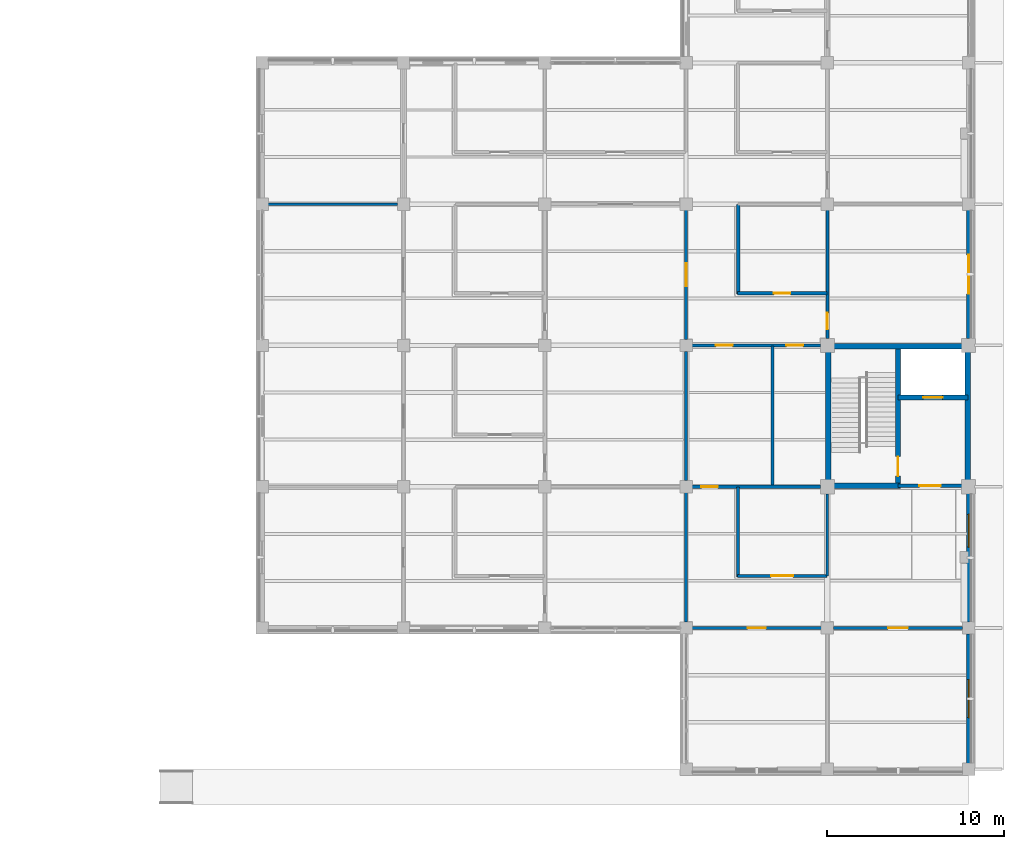
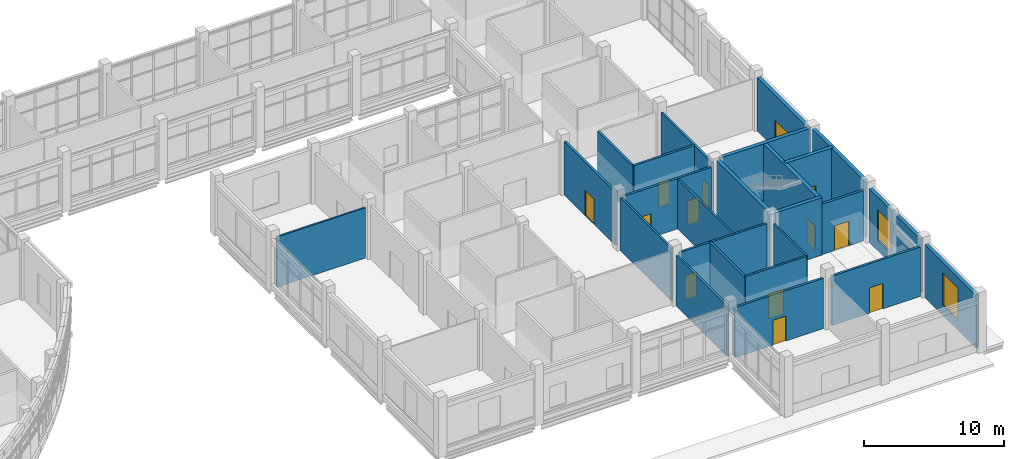
# One storey, part 76 of 105: 25 walls, 13 doors, 2 windows, 15 openings.
"""IFC4 building model written with IfcOpenShell, lengths in metres."""

from ifc_helpers import new_model, si_unit, derived_unit, direction, frame, frame_2d, origin, place, context, subcontext, project, spatial, rectangle, extrude, material, layer, layer_set, type_object, element, fill, save


model = new_model("IFC4")

# Units and contexts
model_context = context("Model", 3, precision=1e-05, world=origin(), true_north=direction((0.0, 1.0)))
body_context = subcontext(model_context, "Body", "Model", "MODEL_VIEW")
ifc_project = project(units=[si_unit("LENGTHUNIT", "METRE"), si_unit("AREAUNIT", "SQUARE_METRE"), si_unit("VOLUMEUNIT", "CUBIC_METRE"), si_unit("PLANEANGLEUNIT", "RADIAN"), si_unit("MASSUNIT", "GRAM", prefix="KILO"), derived_unit("THERMALTRANSMITTANCEUNIT", [(si_unit("MASSUNIT", "GRAM", prefix="KILO"), 1), (si_unit("TIMEUNIT", "SECOND"), -3), (si_unit("THERMODYNAMICTEMPERATUREUNIT", "KELVIN"), -1)])], contexts=[model_context])

# Site, building, storey
site_placement = place(None, origin())
site = spatial("IfcSite", under=ifc_project, at=site_placement, CompositionType="ELEMENT")
building_placement = place(site_placement, origin())
building = spatial("IfcBuilding", under=site, at=building_placement, Name="Veyamyaing Civic Hall", CompositionType="ELEMENT")
storey_placement = place(building_placement, origin())
storey = spatial("IfcBuildingStorey", under=building, at=storey_placement, Name="L00", CompositionType="ELEMENT", Elevation=0.0)

# Walls
ifc_material_1 = material(Name="Concrete C40/50", Category="concrete")
ifc_layer_1 = layer(ifc_material_1, 0.300048828125, Name="Concrete C40/50")
ifc_layer_set_1 = layer_set([ifc_layer_1], Name="Concrete C40/50")
wall_type_1 = type_object("IfcWallType", Name="WT-05", PredefinedType="SHEAR", material=ifc_layer_set_1)
for number, where, z_axis, x_axis, name in (
    (1, (168.050048828125, 16.2900390625, 0.0), (0.0, 0.0, 1.0), (0.0, 1.0, 0.0), "Core shear wall WT-05 CORE-8 L00.W"),
    (2, (168.2900390625, 23.949951171875, 0.0), (0.0, 0.0, 1.0), (1.0, 0.0, 0.0), "Core shear wall WT-05 CORE-8 L00.N"),
    (3, (175.949951171875, 16.2900390625, 0.0), (0.0, 0.0, 1.0), (0.0, 1.0, 0.0), "Core shear wall WT-05 CORE-8 L00.E"),
):
    element("IfcWall", number, at=place(storey_placement, frame(where, z_axis=z_axis, x_axis=x_axis)), inside=storey, type_object=wall_type_1, Name=name, PredefinedType="SHEAR", context=body_context, shape_type="SweptSolid", body=[
        extrude(rectangle(XDim=7.419921875, YDim=0.300048828125, at=frame_2d((3.7099609375, 0.0))), origin(), (0.0, 0.0, 1.0), 5.034912109375),
    ])
wall_1_placement = place(storey_placement, frame((168.2900390625, 16.050048828125, 0.0), z_axis=(0.0, 0.0, 1.0), x_axis=(1.0, 0.0, 0.0)))
element("IfcWall", 4, at=wall_1_placement, inside=storey, type_object=wall_type_1, Name="Core shear wall WT-05 CORE-8 L00.SS", PredefinedType="SHEAR", context=body_context, shape_type="SweptSolid", body=[
    extrude(rectangle(XDim=3.85986328125, YDim=0.300048828125, at=frame_2d((1.929931640625, 0.0))), origin(), (0.0, 0.0, 1.0), 5.034912109375),
])

# Wall, opening, door
wall_2_placement = place(storey_placement, frame((172.0, 16.050048828125, 0.0), z_axis=(0.0, 0.0, 1.0), x_axis=(0.0, 1.0, 0.0)))
wall_2 = element("IfcWall", 5, at=wall_2_placement, inside=storey, type_object=wall_type_1, Name="Core shear wall WT-05 CORE-8 L00.MID", PredefinedType="SHEAR", context=body_context, shape_type="SweptSolid", body=[
    extrude(rectangle(XDim=7.89990234375, YDim=0.300048828125, at=frame_2d((3.949951171875, 0.0))), origin(), (0.0, 0.0, 1.0), 5.034912109375),
])
opening_1_placement = place(wall_2_placement, frame((0.550048828125, 0.0, 0.0)))
opening_1 = element("IfcOpeningElement", 6, at=opening_1_placement, cuts=wall_2, Name="Opening D-03", PredefinedType="OPENING", context=body_context, shape_type="SweptSolid", body=[
    extrude(rectangle(XDim=1.10009765625, YDim=2.14990234375, at=frame_2d((0.550048828125, 1.074951171875))), frame((0.0, 0.159912109375, 0.0), z_axis=(0.0, -1.0, 0.0), x_axis=(1.0, 0.0, 0.0)), (0.0, 0.0, 1.0), 0.320068359375),
])
ifc_material_2 = material(Name="Galvanized steel S355J2", Category="steel")
door_type_1 = type_object("IfcDoorType", Name="D-03", OperationType="NOTDEFINED", PredefinedType="DOOR", material=ifc_material_2)
door_1_placement = place(opening_1_placement, frame((1.10009765625, 0.0, 0.0), z_axis=(0.0, 0.0, 1.0), x_axis=(-1.0, 0.0, 0.0)))
door_1 = element("IfcDoor", 7, at=door_1_placement, inside=storey, type_object=door_type_1, Name="Exit stair fire door D-03 ST-10 L00", OperationType="SINGLE_SWING_RIGHT", OverallHeight=2.14990234375, OverallWidth=1.10009765625, PredefinedType="DOOR", context=body_context, shape_type="SweptSolid", body=[
    extrude(rectangle(XDim=1.10009765625, YDim=2.14990234375, at=frame_2d((0.550048828125, 1.074951171875))), frame((0.0, 0.02490234375, 0.0), z_axis=(0.0, -1.0, 0.0), x_axis=(1.0, 0.0, 0.0)), (0.0, 0.0, 1.0), 0.050048828125),
])
fill(opening_1, door_1)

wall_3_placement = place(storey_placement, frame((172.0, 21.050048828125, 0.0), z_axis=(0.0, 0.0, 1.0), x_axis=(1.0, 0.0, 0.0)))
wall_3 = element("IfcWall", 8, at=wall_3_placement, inside=storey, type_object=wall_type_1, Name="Core shear wall WT-05 CORE-8 L00.LFT", PredefinedType="SHEAR", context=body_context, shape_type="SweptSolid", body=[
    extrude(rectangle(XDim=3.949951171875, YDim=0.300048828125, at=frame_2d((1.97509765625, 0.0))), origin(), (0.0, 0.0, 1.0), 5.034912109375),
])
opening_2_placement = place(wall_3_placement, frame((1.425048828125, 0.0, 0.0)))
opening_2 = element("IfcOpeningElement", 9, at=opening_2_placement, cuts=wall_3, Name="Opening LD-01", PredefinedType="OPENING", context=body_context, shape_type="SweptSolid", body=[
    extrude(rectangle(XDim=1.10009765625, YDim=2.199951171875, at=frame_2d((0.550048828125, 1.10009765625))), frame((0.0, 0.159912109375, 0.0), z_axis=(0.0, -1.0, 0.0), x_axis=(1.0, 0.0, 0.0)), (0.0, 0.0, 1.0), 0.320068359375),
])
ifc_material_3 = material(Name="Anodised aluminium 6063-T6", Category="aluminium")
door_type_2 = type_object("IfcDoorType", Name="LD-01", OperationType="SLIDING_TO_LEFT", PredefinedType="DOOR", material=ifc_material_3)
door_2_placement = place(opening_2_placement, origin())
door_2 = element("IfcDoor", 10, at=door_2_placement, inside=storey, type_object=door_type_2, Name="Lift sliding landing door LD-01 PL-06 L00", OperationType="SLIDING_TO_LEFT", OverallHeight=2.199951171875, OverallWidth=1.10009765625, PredefinedType="DOOR", context=body_context, shape_type="SweptSolid", body=[
    extrude(rectangle(XDim=1.10009765625, YDim=2.199951171875, at=frame_2d((0.550048828125, 1.10009765625))), frame((0.0, 0.02490234375, 0.0), z_axis=(0.0, -1.0, 0.0), x_axis=(1.0, 0.0, 0.0)), (0.0, 0.0, 1.0), 0.050048828125),
])
fill(opening_2, door_2)

ifc_layer_2 = layer(ifc_material_1, 0.199951171875, Name="Concrete C40/50")
ifc_layer_set_2 = layer_set([ifc_layer_2], Name="Concrete C40/50")
wall_type_2 = type_object("IfcWallType", Name="WT-06", PredefinedType="PARTITIONING", material=ifc_layer_set_2)
wall_4_placement = place(storey_placement, frame((172.0, 16.050048828125, 0.0), z_axis=(0.0, 0.0, 1.0), x_axis=(1.0, 0.0, 0.0)))
wall_4 = element("IfcWall", 11, at=wall_4_placement, inside=storey, type_object=wall_type_2, Name="Firefighting lift lobby wall WT-06 CORE-8 L00", PredefinedType="PARTITIONING", context=body_context, shape_type="SweptSolid", body=[
    extrude(rectangle(XDim=3.610107421875, YDim=0.199951171875, at=frame_2d((1.80517578125, 0.0))), origin(), (0.0, 0.0, 1.0), 4.404052734375),
])
opening_3_placement = place(wall_4_placement, frame((1.205078125, 0.0, 0.0)))
opening_3 = element("IfcOpeningElement", 12, at=opening_3_placement, cuts=wall_4, Name="Opening D-04", PredefinedType="OPENING", context=body_context, shape_type="SweptSolid", body=[
    extrude(rectangle(XDim=1.199951171875, YDim=2.14990234375, at=frame_2d((0.60009765625, 1.074951171875))), frame((0.0, 0.10986328125, 0.0), z_axis=(0.0, -1.0, 0.0), x_axis=(1.0, 0.0, 0.0)), (0.0, 0.0, 1.0), 0.219970703125),
])
door_type_3 = type_object("IfcDoorType", Name="D-04", OperationType="NOTDEFINED", PredefinedType="DOOR", material=ifc_material_2)
door_3_placement = place(opening_3_placement, frame((1.199951171875, 0.0, 0.0), z_axis=(0.0, 0.0, 1.0), x_axis=(-1.0, 0.0, 0.0)))
door_3 = element("IfcDoor", 13, at=door_3_placement, inside=storey, type_object=door_type_3, Name="Protected lobby fire door D-04 CORE-8 L00", OperationType="SINGLE_SWING_LEFT", OverallHeight=2.14990234375, OverallWidth=1.199951171875, PredefinedType="DOOR", context=body_context, shape_type="SweptSolid", body=[
    extrude(rectangle(XDim=1.199951171875, YDim=2.14990234375, at=frame_2d((0.60009765625, 1.074951171875))), frame((0.0, 0.02490234375, 0.0), z_axis=(0.0, -1.0, 0.0), x_axis=(1.0, 0.0, 0.0)), (0.0, 0.0, 1.0), 0.050048828125),
])
fill(opening_3, door_3)

ifc_material_4 = material(Name="Gypsum board on acoustic steel stud", Category="steel")
ifc_layer_3 = layer(ifc_material_4, 0.175048828125, Name="Gypsum board on acoustic steel stud")
ifc_layer_set_3 = layer_set([ifc_layer_3], Name="Gypsum board on acoustic steel stud")
wall_type_3 = type_object("IfcWallType", Name="WT-07", PredefinedType="PARTITIONING", material=ifc_layer_set_3)
wall_5_placement = place(storey_placement, frame((162.89990234375, 10.949951171875, 0.0), z_axis=(0.0, 0.0, 1.0), x_axis=(1.0, 0.0, 0.0)))
wall_5 = element("IfcWall", 14, at=wall_5_placement, inside=storey, type_object=wall_type_3, Name="Corridor gallery partition WT-07 L00.67.1", PredefinedType="PARTITIONING", context=body_context, shape_type="SweptSolid", body=[
    extrude(rectangle(XDim=5.080078125, YDim=0.175048828125, at=frame_2d((2.5400390625, 0.0))), origin(), (0.0, 0.0, 1.0), 4.404052734375),
])
opening_4_placement = place(wall_5_placement, frame((1.9150390625, 0.0, 0.0)))
opening_4 = element("IfcOpeningElement", 15, at=opening_4_placement, cuts=wall_5, Name="Opening D-29", PredefinedType="OPENING", context=body_context, shape_type="SweptSolid", body=[
    extrude(rectangle(XDim=1.25, YDim=2.179931640625, at=frame_2d((0.625, 1.08984375))), frame((0.0, 0.097412109375, 0.0), z_axis=(0.0, -1.0, 0.0), x_axis=(1.0, 0.0, 0.0)), (0.0, 0.0, 1.0), 0.195068359375),
])
ifc_material_5 = material(Name="Teak-veneered acoustic timber", Category="wood")
door_type_4 = type_object("IfcDoorType", Name="D-29", OperationType="NOTDEFINED", PredefinedType="DOOR", material=ifc_material_5)
door_4_placement = place(opening_4_placement, origin())
door_4 = element("IfcDoor", 16, at=door_4_placement, inside=storey, type_object=door_type_4, Name="Gallery office door D-29 L00.67", OperationType="SINGLE_SWING_RIGHT", OverallHeight=2.179931640625, OverallWidth=1.25, PredefinedType="DOOR", context=body_context, shape_type="SweptSolid", body=[
    extrude(rectangle(XDim=1.25, YDim=2.179931640625, at=frame_2d((0.625, 1.08984375))), frame((0.0, 0.02490234375, 0.0), z_axis=(0.0, -1.0, 0.0), x_axis=(1.0, 0.0, 0.0)), (0.0, 0.0, 1.0), 0.050048828125),
])
fill(opening_4, door_4)

# Walls
wall_6_placement = place(storey_placement, frame((162.949951171875, 10.89990234375, 0.0), z_axis=(0.0, 0.0, 1.0), x_axis=(0.0, 1.0, 0.0)))
element("IfcWall", 17, at=wall_6_placement, inside=storey, type_object=wall_type_3, Name="Corridor gallery partition WT-07 L00.67.2", PredefinedType="PARTITIONING", context=body_context, shape_type="SweptSolid", body=[
    extrude(rectangle(XDim=5.080078125, YDim=0.175048828125, at=frame_2d((2.5400390625, 0.0))), origin(), (0.0, 0.0, 1.0), 4.3359375),
])
wall_7_placement = place(storey_placement, frame((160.0, 8.340087890625, 0.0), z_axis=(0.0, 0.0, 1.0), x_axis=(0.0, 1.0, 0.0)))
element("IfcWall", 18, at=wall_7_placement, inside=storey, type_object=wall_type_3, Name="Interior partition wall WT-07 L00.135", PredefinedType="PARTITIONING", context=body_context, shape_type="SweptSolid", body=[
    extrude(rectangle(XDim=7.31982421875, YDim=0.175048828125, at=frame_2d((3.659912109375, 0.0))), origin(), (0.0, 0.0, 1.0), 4.412109375),
])

# Wall, opening, door
wall_8_placement = place(storey_placement, frame((160.340087890625, 16.0, 0.0), z_axis=(0.0, 0.0, 1.0), x_axis=(1.0, 0.0, 0.0)))
wall_8 = element("IfcWall", 19, at=wall_8_placement, inside=storey, type_object=wall_type_3, Name="Interior partition wall WT-07 L00.145", PredefinedType="PARTITIONING", context=body_context, shape_type="SweptSolid", body=[
    extrude(rectangle(XDim=7.27001953125, YDim=0.175048828125, at=frame_2d((3.635009765625, 0.0))), origin(), (0.0, 0.0, 1.0), 4.3359375),
])
opening_5_placement = place(wall_8_placement, frame((0.52001953125, 0.0, 0.0)))
opening_5 = element("IfcOpeningElement", 20, at=opening_5_placement, cuts=wall_8, Name="Opening D-30", PredefinedType="OPENING", context=body_context, shape_type="SweptSolid", body=[
    extrude(rectangle(XDim=0.93994140625, YDim=2.1201171875, at=frame_2d((0.469970703125, 1.06005859375))), frame((0.0, 0.097412109375, 0.0), z_axis=(0.0, -1.0, 0.0), x_axis=(1.0, 0.0, 0.0)), (0.0, 0.0, 1.0), 0.195068359375),
])
door_type_5 = type_object("IfcDoorType", Name="D-30", OperationType="NOTDEFINED", PredefinedType="DOOR", material=ifc_material_5)
door_5_placement = place(opening_5_placement, origin())
door_5 = element("IfcDoor", 21, at=door_5_placement, inside=storey, type_object=door_type_5, Name="Interior door D-30 L00.145", OperationType="SINGLE_SWING_RIGHT", OverallHeight=2.1201171875, OverallWidth=0.93994140625, PredefinedType="DOOR", context=body_context, shape_type="SweptSolid", body=[
    extrude(rectangle(XDim=0.93994140625, YDim=2.1201171875, at=frame_2d((0.469970703125, 1.06005859375))), frame((0.0, 0.02490234375, 0.0), z_axis=(0.0, -1.0, 0.0), x_axis=(1.0, 0.0, 0.0)), (0.0, 0.0, 1.0), 0.050048828125),
])
fill(opening_5, door_5)

wall_9_placement = place(storey_placement, frame((168.0, 24.389892578125, 0.0), z_axis=(0.0, 0.0, 1.0), x_axis=(0.0, 1.0, 0.0)))
wall_9 = element("IfcWall", 22, at=wall_9_placement, inside=storey, type_object=wall_type_3, Name="Interior partition wall WT-07 L00.147", PredefinedType="PARTITIONING", context=body_context, shape_type="SweptSolid", body=[
    extrude(rectangle(XDim=7.27001953125, YDim=0.175048828125, at=frame_2d((3.635009765625, 0.0))), origin(), (0.0, 0.0, 1.0), 4.403076171875),
])
opening_6_placement = place(wall_9_placement, frame((0.52001953125, 0.0, 0.0)))
opening_6 = element("IfcOpeningElement", 23, at=opening_6_placement, cuts=wall_9, Name="Opening D-30", PredefinedType="OPENING", context=body_context, shape_type="SweptSolid", body=[
    extrude(rectangle(XDim=0.93994140625, YDim=2.1201171875, at=frame_2d((0.469970703125, 1.06005859375))), frame((0.0, 0.097412109375, 0.0), z_axis=(0.0, -1.0, 0.0), x_axis=(1.0, 0.0, 0.0)), (0.0, 0.0, 1.0), 0.195068359375),
])
door_6_placement = place(opening_6_placement, frame((0.93994140625, 0.0, 0.0), z_axis=(0.0, 0.0, 1.0), x_axis=(-1.0, 0.0, 0.0)))
door_6 = element("IfcDoor", 24, at=door_6_placement, inside=storey, type_object=door_type_5, Name="Interior door D-30 L00.147", OperationType="SINGLE_SWING_LEFT", OverallHeight=2.1201171875, OverallWidth=0.93994140625, PredefinedType="DOOR", context=body_context, shape_type="SweptSolid", body=[
    extrude(rectangle(XDim=0.93994140625, YDim=2.1201171875, at=frame_2d((0.469970703125, 1.06005859375))), frame((0.0, 0.02490234375, 0.0), z_axis=(0.0, -1.0, 0.0), x_axis=(1.0, 0.0, 0.0)), (0.0, 0.0, 1.0), 0.050048828125),
])
fill(opening_6, door_6)

# Walls
ifc_material_6 = material(Name="Gypsum board on steel stud", Category="steel")
ifc_layer_4 = layer(ifc_material_6, 0.14990234375, Name="Gypsum board on steel stud")
ifc_layer_set_4 = layer_set([ifc_layer_4], Name="Gypsum board on steel stud")
wall_type_4 = type_object("IfcWallType", Name="WT-08", PredefinedType="PARTITIONING", material=ifc_layer_set_4)
wall_10_placement = place(storey_placement, frame((168.0, 10.949951171875, 0.0), z_axis=(0.0, 0.0, 1.0), x_axis=(0.0, 1.0, 0.0)))
element("IfcWall", 25, at=wall_10_placement, inside=storey, type_object=wall_type_4, Name="Gallery office end partition WT-08 L00.67.2", PredefinedType="PARTITIONING", context=body_context, shape_type="SweptSolid", body=[
    extrude(rectangle(XDim=4.64013671875, YDim=0.14990234375, at=frame_2d((2.320068359375, 0.0))), origin(), (0.0, 0.0, 1.0), 4.404052734375),
])
ifc_material_7 = material(Name="Cement-board wet-area partition")
ifc_layer_5 = layer(ifc_material_7, 0.159912109375, Name="Cement-board wet-area partition")
ifc_layer_set_5 = layer_set([ifc_layer_5], Name="Cement-board wet-area partition")
wall_type_5 = type_object("IfcWallType", Name="WT-14", PredefinedType="PARTITIONING", material=ifc_layer_set_5)
wall_11_placement = place(storey_placement, frame((160.0, 16.340087890625, 0.0), z_axis=(0.0, 0.0, 1.0), x_axis=(0.0, 1.0, 0.0)))
element("IfcWall", 26, at=wall_11_placement, inside=storey, type_object=wall_type_5, Name="Interior partition wall WT-14 L00.137", PredefinedType="PARTITIONING", context=body_context, shape_type="SweptSolid", body=[
    extrude(rectangle(XDim=7.31982421875, YDim=0.159912109375, at=frame_2d((3.659912109375, 0.0))), origin(), (0.0, 0.0, 1.0), 4.60693359375),
])
wall_12_placement = place(storey_placement, frame((164.89990234375, 16.02001953125, 0.0), z_axis=(0.0, 0.0, 1.0), x_axis=(0.0, 1.0, 0.0)))
element("IfcWall", 27, at=wall_12_placement, inside=storey, type_object=wall_type_5, Name="Sub-bay room partition WT-14 L00.5", PredefinedType="PARTITIONING", context=body_context, shape_type="SweptSolid", body=[
    extrude(rectangle(XDim=7.9599609375, YDim=0.159912109375, at=frame_2d((3.97998046875, 0.0))), origin(), (0.0, 0.0, 1.0), 4.3359375),
])
ifc_layer_6 = layer(ifc_material_6, 0.135009765625, Name="Gypsum board on steel stud")
ifc_layer_set_6 = layer_set([ifc_layer_6], Name="Gypsum board on steel stud")
wall_type_6 = type_object("IfcWallType", Name="WT-15", PredefinedType="PARTITIONING", material=ifc_layer_set_6)
wall_13_placement = place(storey_placement, frame((136.340087890625, 32.0, 0.0), z_axis=(0.0, 0.0, 1.0), x_axis=(1.0, 0.0, 0.0)))
element("IfcWall", 28, at=wall_13_placement, inside=storey, type_object=wall_type_6, Name="Interior partition wall WT-15 L00.128", PredefinedType="PARTITIONING", context=body_context, shape_type="SweptSolid", body=[
    extrude(rectangle(XDim=7.31982421875, YDim=0.135009765625, at=frame_2d((3.659912109375, 0.0))), origin(), (0.0, 0.0, 1.0), 4.403076171875),
])

# Wall, opening, window
ifc_material_8 = material(Name="Precast concrete C40/50", Category="concrete")
ifc_layer_7 = layer(ifc_material_8, 0.27001953125, Name="Precast concrete C40/50")
ifc_layer_set_7 = layer_set([ifc_layer_7], Name="Precast concrete C40/50")
wall_type_7 = type_object("IfcWallType", Name="WT-18", PredefinedType="SOLIDWALL", material=ifc_layer_set_7)
wall_14_placement = place(storey_placement, frame((176.0, 0.3349609375, 0.0), z_axis=(0.0, 0.0, 1.0), x_axis=(0.0, 1.0, 0.0)))
wall_14 = element("IfcWall", 29, at=wall_14_placement, inside=storey, type_object=wall_type_7, Name="Exterior facade wall WT-18 L00 E 22.1", PredefinedType="SOLIDWALL", context=body_context, shape_type="SweptSolid", body=[
    extrude(rectangle(XDim=7.330078125, YDim=0.27001953125, at=frame_2d((3.6650390625, 0.0))), origin(), (0.0, 0.0, 1.0), 4.614013671875),
])
opening_7_placement = place(wall_14_placement, frame((2.590087890625, 0.0, 0.89990234375)))
opening_7 = element("IfcOpeningElement", 30, at=opening_7_placement, cuts=wall_14, Name="Opening W-02", PredefinedType="OPENING", context=body_context, shape_type="SweptSolid", body=[
    extrude(rectangle(XDim=2.14990234375, YDim=2.800048828125, at=frame_2d((1.074951171875, 1.39990234375))), frame((0.0, 0.14501953125, 0.0), z_axis=(0.0, -1.0, 0.0), x_axis=(1.0, 0.0, 0.0)), (0.0, 0.0, 1.0), 0.2900390625),
])
ifc_material_9 = material(Name="Low-E insulated glass", Category="glass")
window_type_1 = type_object("IfcWindowType", Name="W-02", PartitioningType="SINGLE_PANEL", PredefinedType="WINDOW", material=ifc_material_9)
window_1_placement = place(opening_7_placement, origin())
window_1 = element("IfcWindow", 31, at=window_1_placement, inside=storey, type_object=window_type_1, Name="Facade window W-02 L00 E 22.1", OverallHeight=2.800048828125, OverallWidth=2.14990234375, PartitioningType="SINGLE_PANEL", PredefinedType="WINDOW", context=body_context, shape_type="SweptSolid", body=[
    extrude(rectangle(XDim=2.14990234375, YDim=2.800048828125, at=frame_2d((1.074951171875, 1.39990234375))), frame((0.0, 0.030029296875, 0.0), z_axis=(0.0, -1.0, 0.0), x_axis=(1.0, 0.0, 0.0)), (0.0, 0.0, 1.0), 0.06005859375),
])
fill(opening_7, window_1)

wall_15_placement = place(storey_placement, frame((176.0, 8.3349609375, 0.0), z_axis=(0.0, 0.0, 1.0), x_axis=(0.0, 1.0, 0.0)))
wall_15 = element("IfcWall", 32, at=wall_15_placement, inside=storey, type_object=wall_type_7, Name="Exterior facade wall WT-18 L00 E 22.2", PredefinedType="SOLIDWALL", context=body_context, shape_type="SweptSolid", body=[
    extrude(rectangle(XDim=7.280029296875, YDim=0.27001953125, at=frame_2d((3.64013671875, 0.0))), origin(), (0.0, 0.0, 1.0), 4.677001953125),
])
opening_8_placement = place(wall_15_placement, frame((4.25, 0.0, 0.89990234375)))
opening_8 = element("IfcOpeningElement", 33, at=opening_8_placement, cuts=wall_15, Name="Opening W-03", PredefinedType="OPENING", context=body_context, shape_type="SweptSolid", body=[
    extrude(rectangle(XDim=1.85009765625, YDim=2.64990234375, at=frame_2d((0.925048828125, 1.324951171875))), frame((0.0, 0.14501953125, 0.0), z_axis=(0.0, -1.0, 0.0), x_axis=(1.0, 0.0, 0.0)), (0.0, 0.0, 1.0), 0.2900390625),
])
window_type_2 = type_object("IfcWindowType", Name="W-03", PartitioningType="SINGLE_PANEL", PredefinedType="WINDOW", material=ifc_material_9)
window_2_placement = place(opening_8_placement, origin())
window_2 = element("IfcWindow", 34, at=window_2_placement, inside=storey, type_object=window_type_2, Name="Facade window W-03 L00 E 22.2", OverallHeight=2.64990234375, OverallWidth=1.85009765625, PartitioningType="SINGLE_PANEL", PredefinedType="WINDOW", context=body_context, shape_type="SweptSolid", body=[
    extrude(rectangle(XDim=1.85009765625, YDim=2.64990234375, at=frame_2d((0.925048828125, 1.324951171875))), frame((0.0, 0.030029296875, 0.0), z_axis=(0.0, -1.0, 0.0), x_axis=(1.0, 0.0, 0.0)), (0.0, 0.0, 1.0), 0.06005859375),
])
fill(opening_8, window_2)

# Wall, opening, door
wall_16_placement = place(storey_placement, frame((176.0, 24.385009765625, 0.0), z_axis=(0.0, 0.0, 1.0), x_axis=(0.0, 1.0, 0.0)))
wall_16 = element("IfcWall", 35, at=wall_16_placement, inside=storey, type_object=wall_type_7, Name="Exterior facade wall WT-18 L00 E 22.4", PredefinedType="SOLIDWALL", context=body_context, shape_type="SweptSolid", body=[
    extrude(rectangle(XDim=7.280029296875, YDim=0.27001953125, at=frame_2d((3.64013671875, 0.0))), origin(), (0.0, 0.0, 1.0), 4.674072265625),
])
opening_9_placement = place(wall_16_placement, frame((2.5400390625, 0.0, 0.0)))
opening_9 = element("IfcOpeningElement", 36, at=opening_9_placement, cuts=wall_16, Name="Opening D-01", PredefinedType="OPENING", context=body_context, shape_type="SweptSolid", body=[
    extrude(rectangle(XDim=2.199951171875, YDim=2.5, at=frame_2d((1.10009765625, 1.25))), frame((0.0, 0.14501953125, 0.0), z_axis=(0.0, -1.0, 0.0), x_axis=(1.0, 0.0, 0.0)), (0.0, 0.0, 1.0), 0.2900390625),
])
door_type_6 = type_object("IfcDoorType", Name="D-01", OperationType="DOUBLE_DOOR_SINGLE_SWING", PredefinedType="DOOR", material=ifc_material_3)
door_7_placement = place(opening_9_placement, frame((2.199951171875, 0.0, 0.0), z_axis=(0.0, 0.0, 1.0), x_axis=(-1.0, 0.0, 0.0)))
door_7 = element("IfcDoor", 37, at=door_7_placement, inside=storey, type_object=door_type_6, Name="Main pedestrian final exit EX-16", OperationType="DOUBLE_DOOR_SINGLE_SWING", OverallHeight=2.5, OverallWidth=2.199951171875, PredefinedType="DOOR", context=body_context, shape_type="SweptSolid", body=[
    extrude(rectangle(XDim=2.199951171875, YDim=2.5, at=frame_2d((1.10009765625, 1.25))), frame((0.0, 0.02490234375, 0.0), z_axis=(0.0, -1.0, 0.0), x_axis=(1.0, 0.0, 0.0)), (0.0, 0.0, 1.0), 0.050048828125),
])
fill(opening_9, door_7)

ifc_material_10 = material(Name="Gypsum board on double acoustic stud")
ifc_layer_8 = layer(ifc_material_10, 0.18505859375, Name="Gypsum board on double acoustic stud")
ifc_layer_set_8 = layer_set([ifc_layer_8], Name="Gypsum board on double acoustic stud")
wall_type_8 = type_object("IfcWallType", Name="WT-19", PredefinedType="PARTITIONING", material=ifc_layer_set_8)
wall_17_placement = place(storey_placement, frame((162.89990234375, 26.949951171875, 0.0), z_axis=(0.0, 0.0, 1.0), x_axis=(1.0, 0.0, 0.0)))
wall_17 = element("IfcWall", 38, at=wall_17_placement, inside=storey, type_object=wall_type_8, Name="Corridor gallery partition WT-19 L00.68.1", PredefinedType="PARTITIONING", context=body_context, shape_type="SweptSolid", body=[
    extrude(rectangle(XDim=5.080078125, YDim=0.18505859375, at=frame_2d((2.5400390625, 0.0))), origin(), (0.0, 0.0, 1.0), 4.403076171875),
])
opening_10_placement = place(wall_17_placement, frame((2.070068359375, 0.0, 0.0)))
opening_10 = element("IfcOpeningElement", 39, at=opening_10_placement, cuts=wall_17, Name="Opening D-30", PredefinedType="OPENING", context=body_context, shape_type="SweptSolid", body=[
    extrude(rectangle(XDim=0.93994140625, YDim=2.1201171875, at=frame_2d((0.469970703125, 1.06005859375))), frame((0.0, 0.1025390625, 0.0), z_axis=(0.0, -1.0, 0.0), x_axis=(1.0, 0.0, 0.0)), (0.0, 0.0, 1.0), 0.205078125),
])
door_8_placement = place(opening_10_placement, origin())
door_8 = element("IfcDoor", 40, at=door_8_placement, inside=storey, type_object=door_type_5, Name="Gallery office door D-30 L00.68", OperationType="SINGLE_SWING_LEFT", OverallHeight=2.1201171875, OverallWidth=0.93994140625, PredefinedType="DOOR", context=body_context, shape_type="SweptSolid", body=[
    extrude(rectangle(XDim=0.93994140625, YDim=2.1201171875, at=frame_2d((0.469970703125, 1.06005859375))), frame((0.0, 0.02490234375, 0.0), z_axis=(0.0, -1.0, 0.0), x_axis=(1.0, 0.0, 0.0)), (0.0, 0.0, 1.0), 0.050048828125),
])
fill(opening_10, door_8)

# Wall
wall_18_placement = place(storey_placement, frame((162.949951171875, 26.89990234375, 0.0), z_axis=(0.0, 0.0, 1.0), x_axis=(0.0, 1.0, 0.0)))
element("IfcWall", 41, at=wall_18_placement, inside=storey, type_object=wall_type_8, Name="Corridor gallery partition WT-19 L00.68.2", PredefinedType="PARTITIONING", context=body_context, shape_type="SweptSolid", body=[
    extrude(rectangle(XDim=5.080078125, YDim=0.18505859375, at=frame_2d((2.5400390625, 0.0))), origin(), (0.0, 0.0, 1.0), 4.326904296875),
])

# Wall, opening, door
wall_19_placement = place(storey_placement, frame((160.0, 24.340087890625, 0.0), z_axis=(0.0, 0.0, 1.0), x_axis=(0.0, 1.0, 0.0)))
wall_19 = element("IfcWall", 42, at=wall_19_placement, inside=storey, type_object=wall_type_8, Name="Interior partition wall WT-19 L00.138", PredefinedType="PARTITIONING", context=body_context, shape_type="SweptSolid", body=[
    extrude(rectangle(XDim=7.31982421875, YDim=0.18505859375, at=frame_2d((3.659912109375, 0.0))), origin(), (0.0, 0.0, 1.0), 4.669921875),
])
opening_11_placement = place(wall_19_placement, frame((3.010009765625, 0.0, 0.0)))
opening_11 = element("IfcOpeningElement", 43, at=opening_11_placement, cuts=wall_19, Name="Opening D-18", PredefinedType="OPENING", context=body_context, shape_type="SweptSolid", body=[
    extrude(rectangle(XDim=1.300048828125, YDim=2.199951171875, at=frame_2d((0.64990234375, 1.10009765625))), frame((0.0, 0.1025390625, 0.0), z_axis=(0.0, -1.0, 0.0), x_axis=(1.0, 0.0, 0.0)), (0.0, 0.0, 1.0), 0.205078125),
])
door_type_7 = type_object("IfcDoorType", Name="D-18", OperationType="DOUBLE_DOOR_SINGLE_SWING", PredefinedType="DOOR", material=ifc_material_3)
door_9_placement = place(opening_11_placement, origin())
door_9 = element("IfcDoor", 44, at=door_9_placement, inside=storey, type_object=door_type_7, Name="Interior door D-18 L00.138", OperationType="DOUBLE_DOOR_SINGLE_SWING", OverallHeight=2.199951171875, OverallWidth=1.300048828125, PredefinedType="DOOR", context=body_context, shape_type="SweptSolid", body=[
    extrude(rectangle(XDim=1.300048828125, YDim=2.199951171875, at=frame_2d((0.64990234375, 1.10009765625))), frame((0.0, 0.02490234375, 0.0), z_axis=(0.0, -1.0, 0.0), x_axis=(1.0, 0.0, 0.0)), (0.0, 0.0, 1.0), 0.050048828125),
])
fill(opening_11, door_9)

wall_20_placement = place(storey_placement, frame((160.340087890625, 8.0, 0.0), z_axis=(0.0, 0.0, 1.0), x_axis=(1.0, 0.0, 0.0)))
wall_20 = element("IfcWall", 45, at=wall_20_placement, inside=storey, type_object=wall_type_8, Name="Interior partition wall WT-19 L00.144", PredefinedType="PARTITIONING", context=body_context, shape_type="SweptSolid", body=[
    extrude(rectangle(XDim=7.31982421875, YDim=0.18505859375, at=frame_2d((3.659912109375, 0.0))), origin(), (0.0, 0.0, 1.0), 4.403076171875),
])
opening_12_placement = place(wall_20_placement, frame((3.139892578125, 0.0, 0.0)))
opening_12 = element("IfcOpeningElement", 46, at=opening_12_placement, cuts=wall_20, Name="Opening D-24", PredefinedType="OPENING", context=body_context, shape_type="SweptSolid", body=[
    extrude(rectangle(XDim=1.0400390625, YDim=2.179931640625, at=frame_2d((0.52001953125, 1.08984375))), frame((0.0, 0.1025390625, 0.0), z_axis=(0.0, -1.0, 0.0), x_axis=(1.0, 0.0, 0.0)), (0.0, 0.0, 1.0), 0.205078125),
])
door_type_8 = type_object("IfcDoorType", Name="D-24", OperationType="NOTDEFINED", PredefinedType="DOOR", material=ifc_material_5)
door_10_placement = place(opening_12_placement, frame((1.0400390625, 0.0, 0.0), z_axis=(0.0, 0.0, 1.0), x_axis=(-1.0, 0.0, 0.0)))
door_10 = element("IfcDoor", 47, at=door_10_placement, inside=storey, type_object=door_type_8, Name="Interior door D-24 L00.144", OperationType="SINGLE_SWING_LEFT", OverallHeight=2.179931640625, OverallWidth=1.0400390625, PredefinedType="DOOR", context=body_context, shape_type="SweptSolid", body=[
    extrude(rectangle(XDim=1.0400390625, YDim=2.179931640625, at=frame_2d((0.52001953125, 1.08984375))), frame((0.0, 0.02490234375, 0.0), z_axis=(0.0, -1.0, 0.0), x_axis=(1.0, 0.0, 0.0)), (0.0, 0.0, 1.0), 0.050048828125),
])
fill(opening_12, door_10)

# Wall, openings, doors
wall_21_placement = place(storey_placement, frame((160.340087890625, 24.0, 0.0), z_axis=(0.0, 0.0, 1.0), x_axis=(1.0, 0.0, 0.0)))
wall_21 = element("IfcWall", 48, at=wall_21_placement, inside=storey, type_object=wall_type_8, Name="Interior partition wall WT-19 L00.146", PredefinedType="PARTITIONING", context=body_context, shape_type="SweptSolid", body=[
    extrude(rectangle(XDim=7.27001953125, YDim=0.18505859375, at=frame_2d((3.635009765625, 0.0))), origin(), (0.0, 0.0, 1.0), 4.404052734375),
])
opening_13_placement = place(wall_21_placement, frame((1.342529296875, 0.0, 0.0)))
opening_13 = element("IfcOpeningElement", 49, at=opening_13_placement, cuts=wall_21, Name="Opening D-15", PredefinedType="OPENING", context=body_context, shape_type="SweptSolid", body=[
    extrude(rectangle(XDim=0.949951171875, YDim=2.10009765625, at=frame_2d((0.47509765625, 1.050048828125))), frame((0.0, 0.1025390625, 0.0), z_axis=(0.0, -1.0, 0.0), x_axis=(1.0, 0.0, 0.0)), (0.0, 0.0, 1.0), 0.205078125),
])
opening_14_placement = place(wall_21_placement, frame((5.341064453125, 0.0, 0.0)))
opening_14 = element("IfcOpeningElement", 50, at=opening_14_placement, cuts=wall_21, Name="Opening D-15", PredefinedType="OPENING", context=body_context, shape_type="SweptSolid", body=[
    extrude(rectangle(XDim=0.949951171875, YDim=2.10009765625, at=frame_2d((0.47509765625, 1.050048828125))), frame((0.0, 0.1025390625, 0.0), z_axis=(0.0, -1.0, 0.0), x_axis=(1.0, 0.0, 0.0)), (0.0, 0.0, 1.0), 0.205078125),
])
door_type_9 = type_object("IfcDoorType", Name="D-15", OperationType="NOTDEFINED", PredefinedType="DOOR", material=ifc_material_5)
door_11_placement = place(opening_13_placement, frame((0.949951171875, 0.0, 0.0), z_axis=(0.0, 0.0, 1.0), x_axis=(-1.0, 0.0, 0.0)))
door_11 = element("IfcDoor", 51, at=door_11_placement, inside=storey, type_object=door_type_9, Name="Interior room door D-15 L00.146.1", OperationType="SINGLE_SWING_LEFT", OverallHeight=2.10009765625, OverallWidth=0.949951171875, PredefinedType="DOOR", context=body_context, shape_type="SweptSolid", body=[
    extrude(rectangle(XDim=0.949951171875, YDim=2.10009765625, at=frame_2d((0.47509765625, 1.050048828125))), frame((0.0, 0.02490234375, 0.0), z_axis=(0.0, -1.0, 0.0), x_axis=(1.0, 0.0, 0.0)), (0.0, 0.0, 1.0), 0.050048828125),
])
fill(opening_13, door_11)
door_12_placement = place(opening_14_placement, frame((0.949951171875, 0.0, 0.0), z_axis=(0.0, 0.0, 1.0), x_axis=(-1.0, 0.0, 0.0)))
door_12 = element("IfcDoor", 52, at=door_12_placement, inside=storey, type_object=door_type_9, Name="Interior room door D-15 L00.146.2", OperationType="SINGLE_SWING_RIGHT", OverallHeight=2.10009765625, OverallWidth=0.949951171875, PredefinedType="DOOR", context=body_context, shape_type="SweptSolid", body=[
    extrude(rectangle(XDim=0.949951171875, YDim=2.10009765625, at=frame_2d((0.47509765625, 1.050048828125))), frame((0.0, 0.02490234375, 0.0), z_axis=(0.0, -1.0, 0.0), x_axis=(1.0, 0.0, 0.0)), (0.0, 0.0, 1.0), 0.050048828125),
])
fill(opening_14, door_12)

# Wall, opening, door
wall_22_placement = place(storey_placement, frame((168.340087890625, 8.0, 0.0), z_axis=(0.0, 0.0, 1.0), x_axis=(1.0, 0.0, 0.0)))
wall_22 = element("IfcWall", 53, at=wall_22_placement, inside=storey, type_object=wall_type_8, Name="Interior partition wall WT-19 L00.156", PredefinedType="PARTITIONING", context=body_context, shape_type="SweptSolid", body=[
    extrude(rectangle(XDim=7.31982421875, YDim=0.18505859375, at=frame_2d((3.659912109375, 0.0))), origin(), (0.0, 0.0, 1.0), 4.3359375),
])
opening_15_placement = place(wall_22_placement, frame((3.10009765625, 0.0, 0.0)))
opening_15 = element("IfcOpeningElement", 54, at=opening_15_placement, cuts=wall_22, Name="Opening D-26", PredefinedType="OPENING", context=body_context, shape_type="SweptSolid", body=[
    extrude(rectangle(XDim=1.1201171875, YDim=2.219970703125, at=frame_2d((0.56005859375, 1.10986328125))), frame((0.0, 0.1025390625, 0.0), z_axis=(0.0, -1.0, 0.0), x_axis=(1.0, 0.0, 0.0)), (0.0, 0.0, 1.0), 0.205078125),
])
door_type_10 = type_object("IfcDoorType", Name="D-26", OperationType="NOTDEFINED", PredefinedType="DOOR", material=ifc_material_5)
door_13_placement = place(opening_15_placement, frame((1.1201171875, 0.0, 0.0), z_axis=(0.0, 0.0, 1.0), x_axis=(-1.0, 0.0, 0.0)))
door_13 = element("IfcDoor", 55, at=door_13_placement, inside=storey, type_object=door_type_10, Name="Interior door D-26 L00.156", OperationType="SINGLE_SWING_LEFT", OverallHeight=2.219970703125, OverallWidth=1.1201171875, PredefinedType="DOOR", context=body_context, shape_type="SweptSolid", body=[
    extrude(rectangle(XDim=1.1201171875, YDim=2.219970703125, at=frame_2d((0.56005859375, 1.10986328125))), frame((0.0, 0.02490234375, 0.0), z_axis=(0.0, -1.0, 0.0), x_axis=(1.0, 0.0, 0.0)), (0.0, 0.0, 1.0), 0.050048828125),
])
fill(opening_15, door_13)

save(model, "model.ifc")
